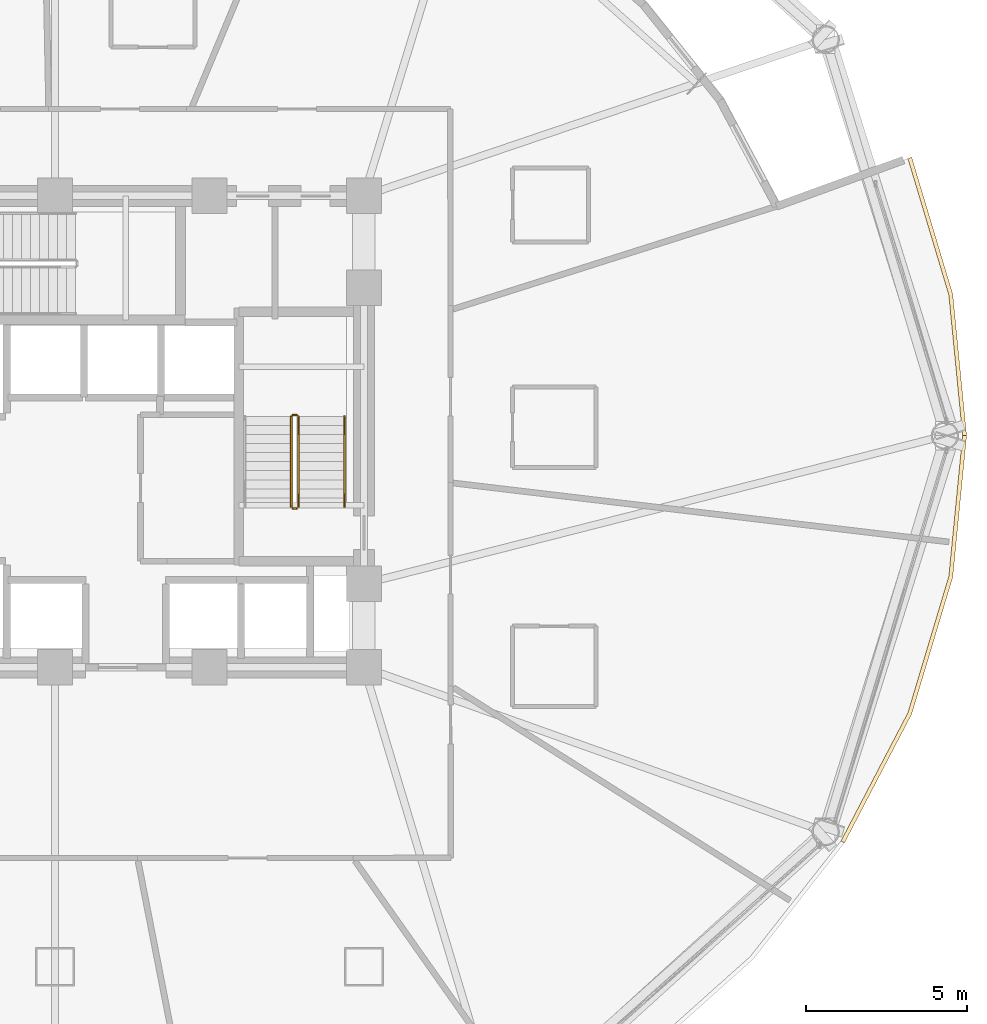
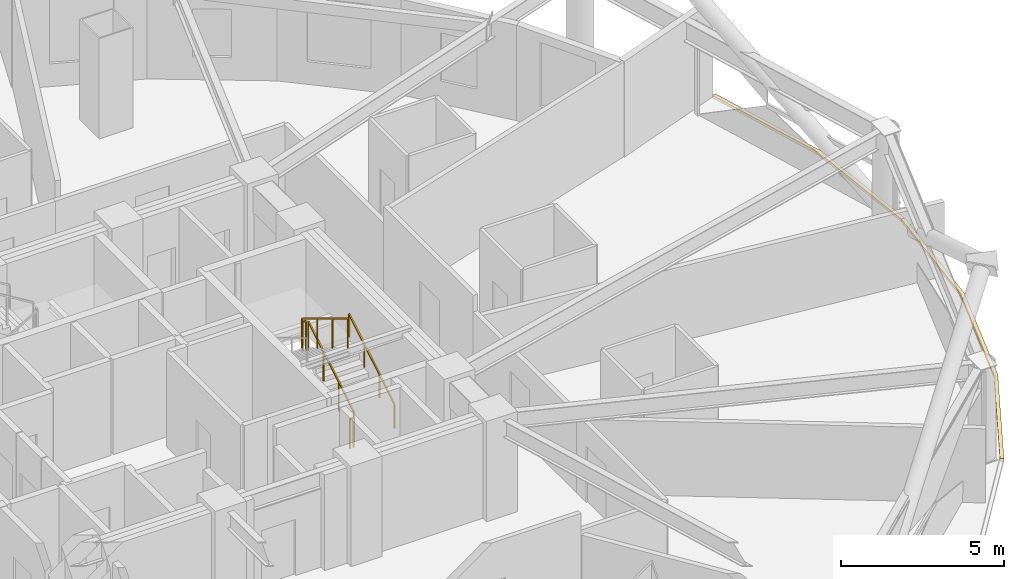
# One storey, part 32 of 33: 5 railings, 2 coverings.
"""IFC4 building model written with IfcOpenShell, lengths in metres."""

from ifc_helpers import new_model, si_unit, direction, frame, origin, origin_2d, place, context, subcontext, project, spatial, polyline, rectangle, outline, extrude, material, layer, layer_set, type_object, element, save


model = new_model("IFC4")

# Units and contexts
model_context = context("Model", 3, precision=1e-05, world=origin(), true_north=direction((0.0, 1.0)))
body_context = subcontext(model_context, "Body", "Model", "MODEL_VIEW")
ifc_project = project(units=[si_unit("LENGTHUNIT", "METRE"), si_unit("AREAUNIT", "SQUARE_METRE"), si_unit("VOLUMEUNIT", "CUBIC_METRE"), si_unit("PLANEANGLEUNIT", "RADIAN"), si_unit("MASSUNIT", "GRAM", prefix="KILO")], contexts=[model_context])

# Site, building, storey
site_placement = place(None, origin())
site = spatial("IfcSite", under=ifc_project, at=site_placement, CompositionType="ELEMENT")
building_placement = place(site_placement, origin())
building = spatial("IfcBuilding", under=site, at=building_placement, Name="Vantalir Tower", CompositionType="ELEMENT")
storey_placement = place(building_placement, frame((0.0, 0.0, 72.0)))
storey = spatial("IfcBuildingStorey", under=building, at=storey_placement, Name="L17", CompositionType="ELEMENT", Elevation=72.0)

# Coverings
ifc_material_1 = material(Name="Anodised champagne aluminium sill fascia", Category="aluminium")
ifc_layer = layer(ifc_material_1, 0.125)
ifc_layer_set = layer_set([ifc_layer], Name="Anodised champagne aluminium sill fascia")
covering_type = type_object("IfcCoveringType", Name="COV-SLAB-FASCIA-125", PredefinedType="CLADDING", material=ifc_layer_set)
covering_1_placement = place(storey_placement, frame((0.0, 0.0, -0.179931640625)))
element("IfcCovering", 1, at=covering_1_placement, inside=storey, type_object=covering_type, Name="L17 Perimeter Slab-Edge Sill Fascia 01", PredefinedType="CLADDING", context=body_context, shape_type="SweptSolid", body=[
    extrude(outline(polyline([(59.824951171875, 25.0), (59.39501953125, 29.39404296875), (58.116943359375, 33.654052734375), (57.9990234375, 33.612060546875), (59.27197265625, 29.3720703125), (59.699951171875, 25.0), (59.824951171875, 25.0)])), origin(), (0.0, 0.0, 1.0), 0.10498046875),
])
covering_2_placement = place(storey_placement, frame((0.0, 0.0, -0.179931640625)))
element("IfcCovering", 2, at=covering_2_placement, inside=storey, type_object=covering_type, Name="L17 Perimeter Slab-Edge Sill Fascia 12", PredefinedType="CLADDING", context=body_context, shape_type="SweptSolid", body=[
    extrude(outline(polyline([(56.030029296875, 12.347900390625), (58.116943359375, 16.345947265625), (59.39501953125, 20.60595703125), (59.824951171875, 25.0), (59.699951171875, 25.0), (59.27197265625, 20.6279296875), (57.9990234375, 16.387939453125), (55.922119140625, 12.409912109375), (56.030029296875, 12.347900390625)])), origin(), (0.0, 0.0, 1.0), 0.10498046875),
])

# Railings
ifc_material_2 = material(Name="Anodised aluminium and stainless steel guard", Category="steel")
railing_type_1 = type_object("IfcRailingType", Name="RAL-GUARD-1120", PredefinedType="GUARDRAIL", material=ifc_material_2)
railing_1_placement = place(storey_placement, frame((39.06005859375, 22.7900390625, 0.17041015625)))
element("IfcRailing", 3, at=railing_1_placement, inside=storey, type_object=railing_type_1, Name="L17 ST2 stair guard 1", PredefinedType="GUARDRAIL", context=body_context, shape_type="SweptSolid", body=[
    extrude(rectangle(XDim=0.048095703125, YDim=0.048095703125, at=origin_2d()), frame((0.0, 0.0, 1.09619140625), z_axis=(0.0, 0.854169791009, 0.51999420009), x_axis=(-1.0, 0.0, 0.0)), (0.0, 0.0, 1.0), 3.278076171875),
    extrude(rectangle(XDim=0.0419921875, YDim=0.0419921875, at=origin_2d()), origin(), (0.0, 0.0, 1.0), 1.072021484375),
    extrude(rectangle(XDim=0.0419921875, YDim=0.0419921875, at=origin_2d()), frame((0.0, 0.933349609375, 0.568115234375)), (0.0, 0.0, 1.0), 1.072021484375),
    extrude(rectangle(XDim=0.0419921875, YDim=0.0419921875, at=origin_2d()), frame((0.0, 1.86669921875, 1.136474609375)), (0.0, 0.0, 1.0), 1.072021484375),
    extrude(rectangle(XDim=0.0419921875, YDim=0.0419921875, at=origin_2d()), frame((0.0, 2.800048828125, 1.70458984375)), (0.0, 0.0, 1.0), 1.072021484375),
])
railing_2_placement = place(storey_placement, frame((39.010009765625, 25.639892578125, 1.875)))
element("IfcRailing", 4, at=railing_2_placement, inside=storey, type_object=railing_type_1, Name="L17 ST2 stair guard 2", PredefinedType="GUARDRAIL", context=body_context, shape_type="SweptSolid", body=[
    extrude(rectangle(XDim=0.048095703125, YDim=0.048095703125, at=origin_2d()), frame((0.0, 0.0, 1.09619140625), z_axis=(-1.0, 0.0, 0.0), x_axis=(0.0, -1.0, 0.0)), (0.0, 0.0, 1.0), 0.1201171875),
    extrude(rectangle(XDim=0.0419921875, YDim=0.0419921875, at=origin_2d()), origin(), (0.0, 0.0, 1.0), 1.072021484375),
    extrude(rectangle(XDim=0.0419921875, YDim=0.0419921875, at=origin_2d()), frame((-0.1201171875, 0.0, 0.0)), (0.0, 0.0, 1.0), 1.072021484375),
])
railing_3_placement = place(storey_placement, frame((38.840087890625, 25.590087890625, 2.04541015625)))
element("IfcRailing", 5, at=railing_3_placement, inside=storey, type_object=railing_type_1, Name="L17 ST2 stair guard 3", PredefinedType="GUARDRAIL", context=body_context, shape_type="SweptSolid", body=[
    extrude(rectangle(XDim=0.048095703125, YDim=0.048095703125, at=origin_2d()), frame((0.0, 0.0, 1.09619140625), z_axis=(0.0, -0.854169791009, 0.51999420009), x_axis=(1.0, 0.0, 0.0)), (0.0, 0.0, 1.0), 3.278076171875),
    extrude(rectangle(XDim=0.0419921875, YDim=0.0419921875, at=origin_2d()), origin(), (0.0, 0.0, 1.0), 1.072021484375),
    extrude(rectangle(XDim=0.0419921875, YDim=0.0419921875, at=origin_2d()), frame((0.0, -0.933349609375, 0.568115234375)), (0.0, 0.0, 1.0), 1.072021484375),
    extrude(rectangle(XDim=0.0419921875, YDim=0.0419921875, at=origin_2d()), frame((0.0, -1.86669921875, 1.136474609375)), (0.0, 0.0, 1.0), 1.072021484375),
    extrude(rectangle(XDim=0.0419921875, YDim=0.0419921875, at=origin_2d()), frame((0.0, -2.800048828125, 1.70458984375)), (0.0, 0.0, 1.0), 1.072021484375),
])
railing_4_placement = place(storey_placement, frame((39.010009765625, 22.739990234375, 0.0)))
element("IfcRailing", 6, at=railing_4_placement, inside=storey, type_object=railing_type_1, Name="L17 ST2 stair guard 4", PredefinedType="GUARDRAIL", context=body_context, shape_type="SweptSolid", body=[
    extrude(rectangle(XDim=0.048095703125, YDim=0.048095703125, at=origin_2d()), frame((0.0, 0.0, 1.09619140625), z_axis=(-1.0, 0.0, 0.0), x_axis=(0.0, -1.0, 0.0)), (0.0, 0.0, 1.0), 0.1201171875),
    extrude(rectangle(XDim=0.0419921875, YDim=0.0419921875, at=origin_2d()), origin(), (0.0, 0.0, 1.0), 1.072021484375),
    extrude(rectangle(XDim=0.0419921875, YDim=0.0419921875, at=origin_2d()), frame((-0.1201171875, 0.0, 0.0)), (0.0, 0.0, 1.0), 1.072021484375),
])
ifc_material_3 = material(Name="Brushed stainless steel tubular handrail", Category="steel")
railing_type_2 = type_object("IfcRailingType", Name="RAL-HANDRAIL-900", PredefinedType="HANDRAIL", material=ifc_material_3)
railing_5_placement = place(storey_placement, frame((40.5, 22.7900390625, 0.17041015625)))
element("IfcRailing", 7, at=railing_5_placement, inside=storey, type_object=railing_type_2, Name="L17 ST2 stair handrail 1", PredefinedType="HANDRAIL", context=body_context, shape_type="SweptSolid", body=[
    extrude(rectangle(XDim=0.048095703125, YDim=0.048095703125, at=origin_2d()), frame((0.0, 0.0, 0.8759765625), z_axis=(0.0, 0.854169791009, 0.51999420009), x_axis=(-1.0, 0.0, 0.0)), (0.0, 0.0, 1.0), 3.278076171875),
    extrude(rectangle(XDim=0.0419921875, YDim=0.0419921875, at=origin_2d()), origin(), (0.0, 0.0, 1.0), 0.851806640625),
    extrude(rectangle(XDim=0.0419921875, YDim=0.0419921875, at=origin_2d()), frame((0.0, 0.933349609375, 0.568115234375)), (0.0, 0.0, 1.0), 0.851806640625),
    extrude(rectangle(XDim=0.0419921875, YDim=0.0419921875, at=origin_2d()), frame((0.0, 1.86669921875, 1.136474609375)), (0.0, 0.0, 1.0), 0.851806640625),
    extrude(rectangle(XDim=0.0419921875, YDim=0.0419921875, at=origin_2d()), frame((0.0, 2.800048828125, 1.70458984375)), (0.0, 0.0, 1.0), 0.851806640625),
])

save(model, "model.ifc")
